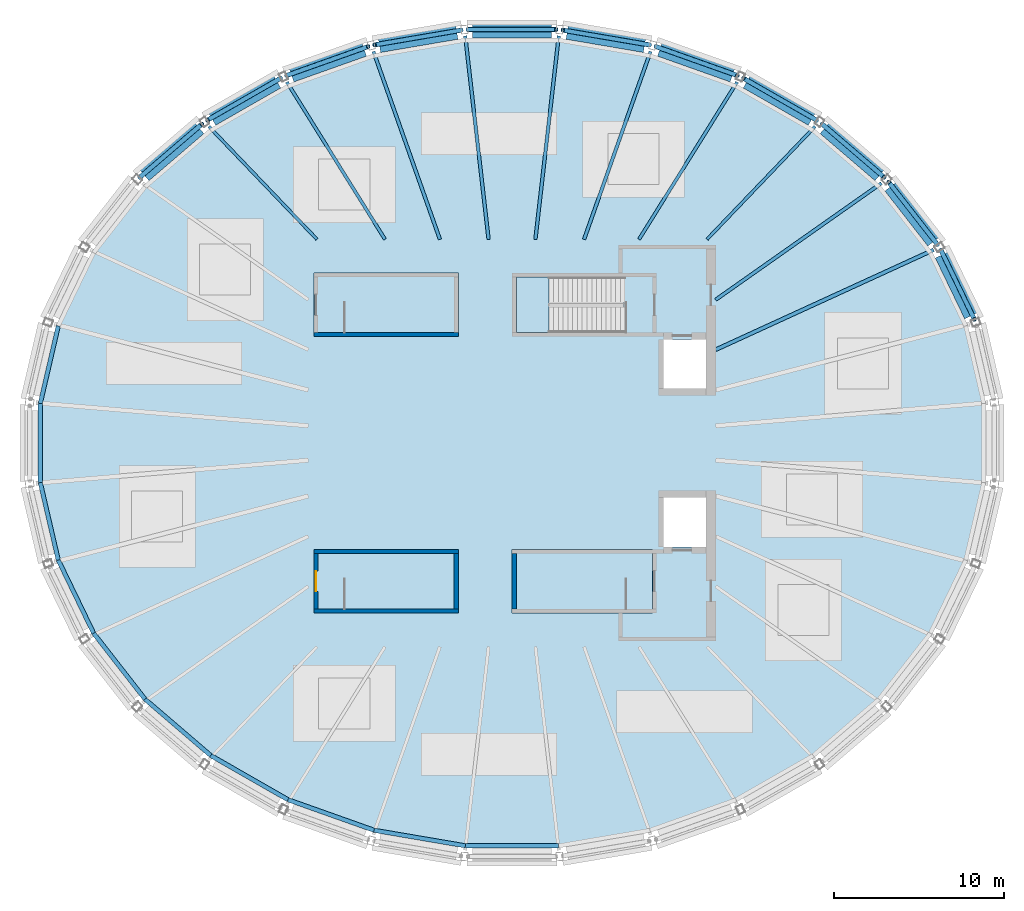
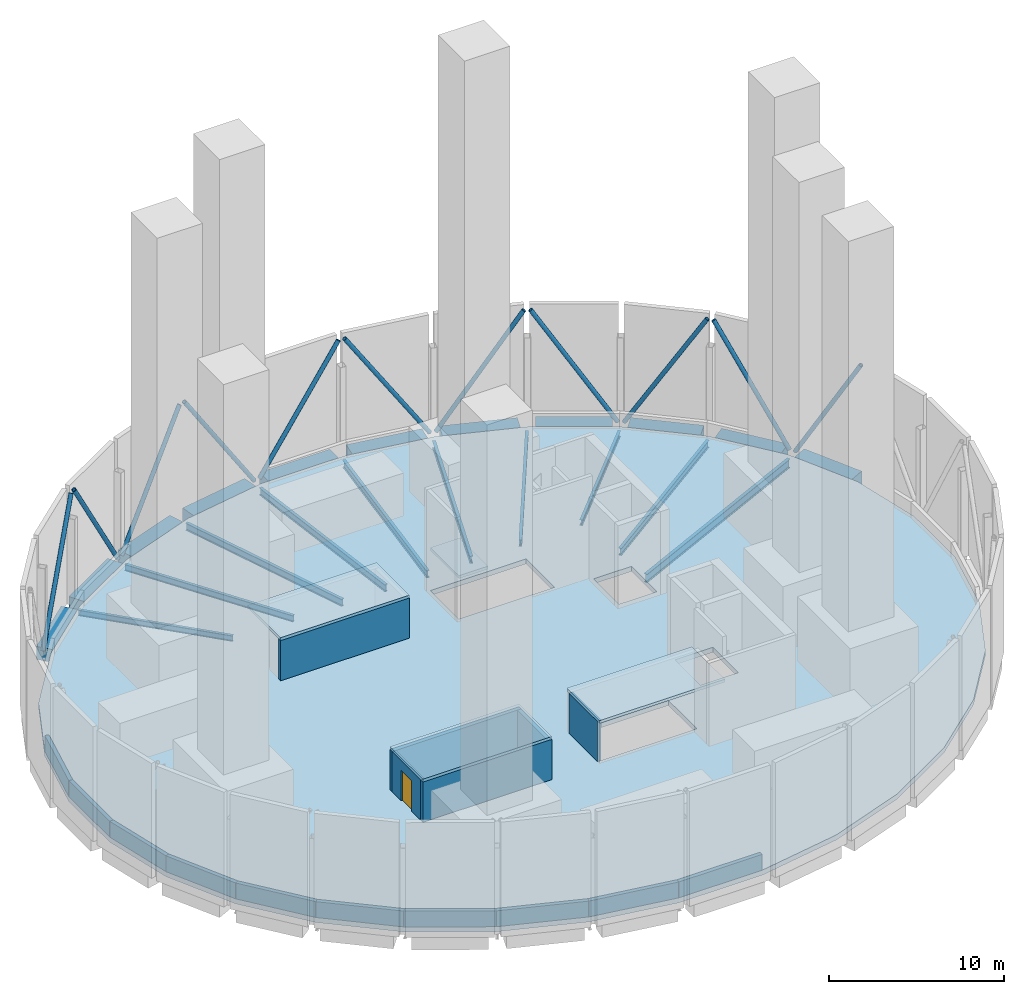
# One storey, part 4 of 7: 21 beams, 16 walls, 11 members, 5 slabs, 1 door, 1 opening, 1 element without a shape of its own.
"""IFC4 building model written with IfcOpenShell, lengths in metres."""

from ifc_helpers import new_model, si_unit, direction, frame, frame_2d, origin, origin_2d, place, context, subcontext, project, spatial, polyline, rectangle, hollow_circle, i_section, outline, extrude, material, layer, layer_set, material_profile, profile_set, type_object, element, fill, aggregate, save


model = new_model("IFC4")

# Units and contexts
model_context = context("Model", 3, precision=1e-05, world=origin(), true_north=direction((0.0, 1.0)))
body_context = subcontext(model_context, "Body", "Model", "MODEL_VIEW")
ifc_project = project(units=[si_unit("LENGTHUNIT", "METRE"), si_unit("AREAUNIT", "SQUARE_METRE"), si_unit("VOLUMEUNIT", "CUBIC_METRE"), si_unit("PLANEANGLEUNIT", "RADIAN"), si_unit("MASSUNIT", "GRAM", prefix="KILO")], contexts=[model_context])

# Site, building, storey
site_placement = place(None, origin())
site = spatial("IfcSite", under=ifc_project, at=site_placement, CompositionType="ELEMENT")
building_placement = place(site_placement, origin())
building = spatial("IfcBuilding", under=site, at=building_placement, Name="Halqa Exchange Tower", CompositionType="ELEMENT")
storey_placement = place(building_placement, frame((0.0, 0.0, 349.300048828125)))
storey = spatial("IfcBuildingStorey", under=building, at=storey_placement, Name="Roof crown", CompositionType="ELEMENT", Elevation=349.300048828125)

# Members
ifc_material_1 = material(Name="Steel S355", Category="steel")
ifc_material_profile_1 = material_profile(ifc_material_1, hollow_circle(Radius=0.136474609375, WallThickness=0.01611328125, at=origin_2d()), Name="CHS 273x16")
ifc_profile_set_1 = profile_set([ifc_material_profile_1], Name="Steel S355")
member_type = type_object("IfcMemberType", Name="CROWN FRAME brace CHS 273x16", PredefinedType="BRACE", material=ifc_profile_set_1)
member_1_placement = place(storey_placement, frame((27.190185546875, 7.26220703125, 7.800048828125), z_axis=(-0.218648714655, 0.452478361108, -0.864555418877), x_axis=(-0.900387276879, -0.435089360516, 0.0)))
element("IfcMember", 1, at=member_1_placement, inside=storey, type_object=member_type, Name="Crown frame brace 1.2", PredefinedType="BRACE", context=body_context, shape_type="SweptSolid", body=[
    extrude(hollow_circle(Radius=0.136474609375, WallThickness=0.01611328125, at=origin_2d()), origin(), (0.0, 0.0, 1.0), 9.02197265625),
])
member_2_placement = place(storey_placement, frame((25.01806640625, 11.665283203125, 0.0), z_axis=(-0.315752772616, 0.405050890244, 0.858040769951), x_axis=(-0.788678776102, -0.614805488041, 0.0)))
element("IfcMember", 2, at=member_2_placement, inside=storey, type_object=member_type, Name="Crown frame brace 1.3", PredefinedType="BRACE", context=body_context, shape_type="SweptSolid", body=[
    extrude(hollow_circle(Radius=0.136474609375, WallThickness=0.01611328125, at=origin_2d()), origin(), (0.0, 0.0, 1.0), 9.090576171875),
])
member_3_placement = place(storey_placement, frame((21.886474609375, 15.62109375, 7.800048828125), z_axis=(-0.399297965651, 0.342274414586, -0.850534749288), x_axis=(-0.650812216448, -0.759238736447, 0.0)))
element("IfcMember", 3, at=member_3_placement, inside=storey, type_object=member_type, Name="Crown frame brace 1.4", PredefinedType="BRACE", context=body_context, shape_type="SweptSolid", body=[
    extrude(hollow_circle(Radius=0.136474609375, WallThickness=0.01611328125, at=origin_2d()), origin(), (0.0, 0.0, 1.0), 9.170654296875),
])
member_4_placement = place(storey_placement, frame((17.915283203125, 18.97802734375, 0.0), z_axis=(-0.466525248598, 0.267189094123, 0.843186919017), x_axis=(-0.496984556947, -0.867759384943, 0.0)))
element("IfcMember", 4, at=member_4_placement, inside=storey, type_object=member_type, Name="Crown frame brace 1.5", PredefinedType="BRACE", context=body_context, shape_type="SweptSolid", body=[
    extrude(hollow_circle(Radius=0.136474609375, WallThickness=0.01611328125, at=origin_2d()), origin(), (0.0, 0.0, 1.0), 9.250732421875),
])
member_5_placement = place(storey_placement, frame((13.255615234375, 21.607666015625, 7.800048828125), z_axis=(-0.515512799121, 0.183016869218, -0.837108941252), x_axis=(-0.334560791797, -0.942374170164, 0.0)))
element("IfcMember", 5, at=member_5_placement, inside=storey, type_object=member_type, Name="Crown frame brace 1.6", PredefinedType="BRACE", context=body_context, shape_type="SweptSolid", body=[
    extrude(hollow_circle(Radius=0.136474609375, WallThickness=0.01611328125, at=origin_2d()), origin(), (0.0, 0.0, 1.0), 9.31787109375),
])
member_6_placement = place(storey_placement, frame((8.085693359375, 23.40869140625, 0.0), z_axis=(-0.545249832877, 0.092961054721, 0.833103152108), x_axis=(-0.168067416098, -0.985775503675, 0.0)))
element("IfcMember", 6, at=member_6_placement, inside=storey, type_object=member_type, Name="Crown frame brace 1.7", PredefinedType="BRACE", context=body_context, shape_type="SweptSolid", body=[
    extrude(hollow_circle(Radius=0.136474609375, WallThickness=0.01611328125, at=origin_2d()), origin(), (0.0, 0.0, 1.0), 9.362548828125),
])
member_7_placement = place(storey_placement, frame((2.603515625, 24.31103515625, 7.800048828125), z_axis=(-0.555216730171, 0.0, -0.831705706688), x_axis=(0.0, -1.0, 0.0)))
element("IfcMember", 7, at=member_7_placement, inside=storey, type_object=member_type, Name="Crown frame brace 1.8", PredefinedType="BRACE", context=body_context, shape_type="SweptSolid", body=[
    extrude(hollow_circle(Radius=0.136474609375, WallThickness=0.01611328125, at=origin_2d()), origin(), (0.0, 0.0, 1.0), 9.37841796875),
])
member_8_placement = place(storey_placement, frame((-2.980712890625, 24.279052734375, 0.0), z_axis=(-0.545249832877, -0.092961054721, 0.833103152108), x_axis=(0.168067416098, -0.985775503675, 0.0)))
element("IfcMember", 8, at=member_8_placement, inside=storey, type_object=member_type, Name="Crown frame brace 1.9", PredefinedType="BRACE", context=body_context, shape_type="SweptSolid", body=[
    extrude(hollow_circle(Radius=0.136474609375, WallThickness=0.01611328125, at=origin_2d()), origin(), (0.0, 0.0, 1.0), 9.362548828125),
])
member_9_placement = place(storey_placement, frame((-8.4521484375, 23.31298828125, 7.800048828125), z_axis=(-0.515512799121, -0.183016869218, -0.837108941252), x_axis=(0.334560791797, -0.942374170164, 0.0)))
element("IfcMember", 9, at=member_9_placement, inside=storey, type_object=member_type, Name="Crown frame brace 1.10", PredefinedType="BRACE", context=body_context, shape_type="SweptSolid", body=[
    extrude(hollow_circle(Radius=0.136474609375, WallThickness=0.01611328125, at=origin_2d()), origin(), (0.0, 0.0, 1.0), 9.31787109375),
])
member_10_placement = place(storey_placement, frame((-13.599609375, 21.44970703125, 0.0), z_axis=(-0.466525248598, -0.267189094123, 0.843186919017), x_axis=(0.496984556947, -0.867759384943, 0.0)))
element("IfcMember", 10, at=member_10_placement, inside=storey, type_object=member_type, Name="Crown frame brace 1.11", PredefinedType="BRACE", context=body_context, shape_type="SweptSolid", body=[
    extrude(hollow_circle(Radius=0.136474609375, WallThickness=0.01611328125, at=origin_2d()), origin(), (0.0, 0.0, 1.0), 9.250732421875),
])
member_11_placement = place(storey_placement, frame((-18.224609375, 18.760009765625, 7.800048828125), z_axis=(-0.399297965651, -0.342274414586, -0.850534749288), x_axis=(0.650812216448, -0.759238736447, 0.0)))
element("IfcMember", 11, at=member_11_placement, inside=storey, type_object=member_type, Name="Crown frame brace 1.12", PredefinedType="BRACE", context=body_context, shape_type="SweptSolid", body=[
    extrude(hollow_circle(Radius=0.136474609375, WallThickness=0.01611328125, at=origin_2d()), origin(), (0.0, 0.0, 1.0), 9.170654296875),
])

# Beams
ifc_material_profile_2 = material_profile(ifc_material_1, i_section(OverallWidth=0.179931640625, OverallDepth=0.39990234375, WebThickness=0.008544921875, FlangeThickness=0.013427734375, FilletRadius=0.02099609375, at=origin_2d()), Name="IPE 400")
ifc_profile_set_2 = profile_set([ifc_material_profile_2], Name="Steel S355")
beam_type_1 = type_object("IfcBeamType", Name="Floor beam IPE 400", PredefinedType="BEAM", material=ifc_profile_set_2)
for number, where, z_axis, x_axis, name in (
    (12, (11.46240234375, 11.9716796875, -0.550048828125), (0.691577100122, 0.722302647501, 0.0), (-0.722302647501, 0.691577100122, 0.0), "Radial beam 5"),
    (13, (-11.46240234375, 11.9716796875, -0.550048828125), (-0.691577100122, 0.722302647501, 0.0), (-0.722302647501, -0.691577100122, 0.0), "Radial beam 12"),
):
    element("IfcBeam", number, at=place(storey_placement, frame(where, z_axis=z_axis, x_axis=x_axis)), inside=storey, type_object=beam_type_1, Name=name, PredefinedType="BEAM", context=body_context, shape_type="SweptSolid", body=[
        extrude(i_section(OverallWidth=0.179931640625, OverallDepth=0.39990234375, WebThickness=0.008544921875, FlangeThickness=0.013427734375, FilletRadius=0.02099609375, at=origin_2d()), origin(), (0.0, 0.0, 1.0), 9.193359375),
    ])
ifc_material_profile_3 = material_profile(ifc_material_1, i_section(OverallWidth=0.18994140625, OverallDepth=0.449951171875, WebThickness=0.009521484375, FlangeThickness=0.0146484375, FilletRadius=0.02099609375, at=origin_2d()), Name="IPE 450")
ifc_profile_set_3 = profile_set([ifc_material_profile_3], Name="Steel S355")
beam_type_2 = type_object("IfcBeamType", Name="Floor beam IPE 450", PredefinedType="BEAM", material=ifc_profile_set_3)
for number, where, z_axis, x_axis, name in (
    (14, (7.46630859375, 11.972900390625, -0.574951171875), (0.529135242535, 0.848537503654, 0.0), (-0.848537503654, 0.529135242535, 0.0), "Radial beam 6"),
    (15, (-7.46630859375, 11.972900390625, -0.574951171875), (-0.529135242535, 0.848537503654, 0.0), (-0.848537503654, -0.529135242535, 0.0), "Radial beam 11"),
):
    element("IfcBeam", number, at=place(storey_placement, frame(where, z_axis=z_axis, x_axis=x_axis)), inside=storey, type_object=beam_type_2, Name=name, PredefinedType="BEAM", context=body_context, shape_type="SweptSolid", body=[
        extrude(i_section(OverallWidth=0.18994140625, OverallDepth=0.449951171875, WebThickness=0.009521484375, FlangeThickness=0.0146484375, FilletRadius=0.02099609375, at=origin_2d()), origin(), (0.0, 0.0, 1.0), 10.90380859375),
    ])
ifc_material_profile_4 = material_profile(ifc_material_1, i_section(OverallWidth=0.199951171875, OverallDepth=0.5, WebThickness=0.01025390625, FlangeThickness=0.01611328125, FilletRadius=0.02099609375, at=origin_2d()), Name="IPE 500")
ifc_profile_set_4 = profile_set([ifc_material_profile_4], Name="Steel S355")
beam_type_3 = type_object("IfcBeamType", Name="Floor beam IPE 500", PredefinedType="BEAM", material=ifc_profile_set_4)
beam_1_placement = place(storey_placement, frame((11.971435546875, 8.421142578125, -0.60009765625), z_axis=(0.817909915289, 0.575346304822, 0.0), x_axis=(-0.575346304822, 0.817909915289, 0.0)))
element("IfcBeam", 16, at=beam_1_placement, inside=storey, type_object=beam_type_3, Name="Radial beam 4", PredefinedType="BEAM", context=body_context, shape_type="SweptSolid", body=[
    extrude(i_section(OverallWidth=0.199951171875, OverallDepth=0.5, WebThickness=0.01025390625, FlangeThickness=0.01611328125, FilletRadius=0.02099609375, at=origin_2d()), origin(), (0.0, 0.0, 1.0), 11.923095703125),
])
beam_2_placement = place(storey_placement, frame((4.237060546875, 11.97216796875, -0.60009765625), z_axis=(0.333610824629, 0.942710887648, 0.0), x_axis=(-0.942710887648, 0.333610824629, 0.0)))
element("IfcBeam", 17, at=beam_2_placement, inside=storey, type_object=beam_type_3, Name="Radial beam 7", PredefinedType="BEAM", context=body_context, shape_type="SweptSolid", body=[
    extrude(i_section(OverallWidth=0.199951171875, OverallDepth=0.5, WebThickness=0.01025390625, FlangeThickness=0.01611328125, FilletRadius=0.02099609375, at=origin_2d()), origin(), (0.0, 0.0, 1.0), 11.7236328125),
])
for number, where, z_axis, x_axis, name in (
    (18, (1.37548828125, 11.97119140625, -0.60009765625), (0.114158031936, 0.993462603093, 0.0), (-0.993462603093, 0.114158031936, 0.0), "Radial beam 8"),
    (19, (-1.37548828125, 11.97119140625, -0.60009765625), (-0.114158031936, 0.993462603093, 0.0), (-0.993462603093, -0.114158031936, 0.0), "Radial beam 9"),
):
    element("IfcBeam", number, at=place(storey_placement, frame(where, z_axis=z_axis, x_axis=x_axis)), inside=storey, type_object=beam_type_3, Name=name, PredefinedType="BEAM", context=body_context, shape_type="SweptSolid", body=[
        extrude(i_section(OverallWidth=0.199951171875, OverallDepth=0.5, WebThickness=0.01025390625, FlangeThickness=0.01611328125, FilletRadius=0.02099609375, at=origin_2d()), origin(), (0.0, 0.0, 1.0), 12.049072265625),
    ])
beam_3_placement = place(storey_placement, frame((-4.237060546875, 11.97216796875, -0.60009765625), z_axis=(-0.333610824629, 0.942710887648, 0.0), x_axis=(-0.942710887648, -0.333610824629, 0.0)))
element("IfcBeam", 20, at=beam_3_placement, inside=storey, type_object=beam_type_3, Name="Radial beam 10", PredefinedType="BEAM", context=body_context, shape_type="SweptSolid", body=[
    extrude(i_section(OverallWidth=0.199951171875, OverallDepth=0.5, WebThickness=0.01025390625, FlangeThickness=0.01611328125, FilletRadius=0.02099609375, at=origin_2d()), origin(), (0.0, 0.0, 1.0), 11.7236328125),
])
ifc_material_profile_5 = material_profile(ifc_material_1, i_section(OverallWidth=0.219970703125, OverallDepth=0.60009765625, WebThickness=0.011962890625, FlangeThickness=0.01904296875, FilletRadius=0.02392578125, at=origin_2d()), Name="IPE 600")
ifc_profile_set_5 = profile_set([ifc_material_profile_5], Name="Steel S355")
beam_type_4 = type_object("IfcBeamType", Name="Floor beam IPE 600", PredefinedType="BEAM", material=ifc_profile_set_5)
beam_4_placement = place(storey_placement, frame((11.97216796875, 5.485107421875, -0.650146484375), z_axis=(0.909129837919, 0.416512830302, 0.0), x_axis=(-0.416512830302, 0.909129837919, 0.0)))
element("IfcBeam", 21, at=beam_4_placement, inside=storey, type_object=beam_type_4, Name="Radial beam 3", PredefinedType="BEAM", context=body_context, shape_type="SweptSolid", body=[
    extrude(i_section(OverallWidth=0.219970703125, OverallDepth=0.60009765625, WebThickness=0.011962890625, FlangeThickness=0.01904296875, FilletRadius=0.02392578125, at=origin_2d()), origin(), (0.0, 0.0, 1.0), 14.102294921875),
])
ifc_material_2 = material(Name="Concrete C60/75", Category="concrete")
ifc_material_profile_6 = material_profile(ifc_material_2, rectangle(XDim=1.0, YDim=0.89990234375, at=origin_2d()), Name="1000 x 900")
ifc_profile_set_6 = profile_set([ifc_material_profile_6], Name="Concrete C60/75")
beam_type_5 = type_object("IfcBeamType", Name="RC spandrel beam 1000 x 900 C60/75", PredefinedType="SPANDREL", material=ifc_profile_set_6)
beam_5_placement = place(storey_placement, frame((27.06591796875, 7.519287109375, -0.449951171875), z_axis=(-0.43505216676, 0.900405248873, 0.0), x_axis=(-0.900405248873, -0.43505216676, 0.0)))
element("IfcBeam", 22, at=beam_5_placement, inside=storey, type_object=beam_type_5, Name="Spandrel 2", PredefinedType="SPANDREL", context=body_context, shape_type="SweptSolid", body=[
    extrude(rectangle(XDim=1.0, YDim=0.89990234375, at=origin_2d()), origin(), (0.0, 0.0, 1.0), 3.964111328125),
])
beam_6_placement = place(storey_placement, frame((24.8427734375, 11.89013671875, -0.449951171875), z_axis=(-0.61480594236, 0.788678421943, 0.0), x_axis=(-0.788678421943, -0.61480594236, 0.0)))
element("IfcBeam", 23, at=beam_6_placement, inside=storey, type_object=beam_type_5, Name="Spandrel 3", PredefinedType="SPANDREL", context=body_context, shape_type="SweptSolid", body=[
    extrude(rectangle(XDim=1.0, YDim=0.89990234375, at=origin_2d()), origin(), (0.0, 0.0, 1.0), 4.10009765625),
])
beam_7_placement = place(storey_placement, frame((21.670654296875, 15.805908203125, -0.449951171875), z_axis=(-0.759232294843, 0.65081973116, 0.0), x_axis=(-0.65081973116, -0.759232294843, 0.0)))
element("IfcBeam", 24, at=beam_7_placement, inside=storey, type_object=beam_type_5, Name="Spandrel 4", PredefinedType="SPANDREL", context=body_context, shape_type="SweptSolid", body=[
    extrude(rectangle(XDim=1.0, YDim=0.89990234375, at=origin_2d()), origin(), (0.0, 0.0, 1.0), 4.25390625),
])
beam_8_placement = place(storey_placement, frame((17.669189453125, 19.119140625, -0.449951171875), z_axis=(-0.86778573249, 0.49693855001, 0.0), x_axis=(-0.49693855001, -0.86778573249, 0.0)))
element("IfcBeam", 25, at=beam_8_placement, inside=storey, type_object=beam_type_5, Name="Spandrel 5", PredefinedType="SPANDREL", context=body_context, shape_type="SweptSolid", body=[
    extrude(rectangle(XDim=1.0, YDim=0.89990234375, at=origin_2d()), origin(), (0.0, 0.0, 1.0), 4.40478515625),
])
beam_9_placement = place(storey_placement, frame((12.98828125, 21.70263671875, -0.449951171875), z_axis=(-0.94236088808, 0.334598201755, 0.0), x_axis=(-0.334598201755, -0.94236088808, 0.0)))
element("IfcBeam", 26, at=beam_9_placement, inside=storey, type_object=beam_type_5, Name="Spandrel 6", PredefinedType="SPANDREL", context=body_context, shape_type="SweptSolid", body=[
    extrude(rectangle(XDim=1.0, YDim=0.89990234375, at=origin_2d()), origin(), (0.0, 0.0, 1.0), 4.530517578125),
])
beam_10_placement = place(storey_placement, frame((7.805419921875, 23.456298828125, -0.449951171875), z_axis=(-0.985773042695, 0.168081849987, 0.0), x_axis=(-0.168081849987, -0.985773042695, 0.0)))
element("IfcBeam", 27, at=beam_10_placement, inside=storey, type_object=beam_type_5, Name="Spandrel 7", PredefinedType="SPANDREL", context=body_context, shape_type="SweptSolid", body=[
    extrude(rectangle(XDim=1.0, YDim=0.89990234375, at=origin_2d()), origin(), (0.0, 0.0, 1.0), 4.6103515625),
])
beam_11_placement = place(storey_placement, frame((2.319580078125, 24.31103515625, -0.449951171875), z_axis=(-1.0, 0.0, 0.0), x_axis=(0.0, -1.0, 0.0)))
element("IfcBeam", 28, at=beam_11_placement, inside=storey, type_object=beam_type_5, Name="Spandrel 8", PredefinedType="SPANDREL", context=body_context, shape_type="SweptSolid", body=[
    extrude(rectangle(XDim=1.0, YDim=0.89990234375, at=origin_2d()), origin(), (0.0, 0.0, 1.0), 4.63916015625),
])
beam_12_placement = place(storey_placement, frame((-3.2607421875, 24.231201171875, -0.449951171875), z_axis=(-0.985773042695, -0.168081849987, 0.0), x_axis=(0.168081849987, -0.985773042695, 0.0)))
element("IfcBeam", 29, at=beam_12_placement, inside=storey, type_object=beam_type_5, Name="Spandrel 9", PredefinedType="SPANDREL", context=body_context, shape_type="SweptSolid", body=[
    extrude(rectangle(XDim=1.0, YDim=0.89990234375, at=origin_2d()), origin(), (0.0, 0.0, 1.0), 4.6103515625),
])
beam_13_placement = place(storey_placement, frame((-8.718994140625, 23.218505859375, -0.449951171875), z_axis=(-0.94236088808, -0.334598201755, 0.0), x_axis=(0.334598201755, -0.94236088808, 0.0)))
element("IfcBeam", 30, at=beam_13_placement, inside=storey, type_object=beam_type_5, Name="Spandrel 10", PredefinedType="SPANDREL", context=body_context, shape_type="SweptSolid", body=[
    extrude(rectangle(XDim=1.0, YDim=0.89990234375, at=origin_2d()), origin(), (0.0, 0.0, 1.0), 4.530517578125),
])
beam_14_placement = place(storey_placement, frame((-13.8466796875, 21.30810546875, -0.449951171875), z_axis=(-0.86778573249, -0.49693855001, 0.0), x_axis=(0.49693855001, -0.86778573249, 0.0)))
element("IfcBeam", 31, at=beam_14_placement, inside=storey, type_object=beam_type_5, Name="Spandrel 11", PredefinedType="SPANDREL", context=body_context, shape_type="SweptSolid", body=[
    extrude(rectangle(XDim=1.0, YDim=0.89990234375, at=origin_2d()), origin(), (0.0, 0.0, 1.0), 4.40478515625),
])
beam_15_placement = place(storey_placement, frame((-18.44091796875, 18.574462890625, -0.449951171875), z_axis=(-0.759232294843, -0.65081973116, 0.0), x_axis=(0.65081973116, -0.759232294843, 0.0)))
element("IfcBeam", 32, at=beam_15_placement, inside=storey, type_object=beam_type_5, Name="Spandrel 12", PredefinedType="SPANDREL", context=body_context, shape_type="SweptSolid", body=[
    extrude(rectangle(XDim=1.0, YDim=0.89990234375, at=origin_2d()), origin(), (0.0, 0.0, 1.0), 4.25390625),
])

# Slabs
ifc_material_3 = material(Name="Concrete C30/37", Category="concrete")
ifc_layer_1 = layer(ifc_material_3, 0.199951171875)
ifc_layer_set_1 = layer_set([ifc_layer_1], Name="Concrete C30/37")
slab_type_1 = type_object("IfcSlabType", Name="Head-house roof slab 200", PredefinedType="ROOF", material=ifc_layer_set_1)
slab_1_placement = place(storey_placement, frame((0.0, 0.0, 2.800048828125)))
element("IfcSlab", 33, at=slab_1_placement, inside=storey, type_object=slab_type_1, Name="Head-house roof ST1", PredefinedType="ROOF", context=body_context, shape_type="SweptSolid", body=[
    extrude(outline(polyline([(-11.64990234375, 6.25), (-3.14990234375, 6.25), (-3.14990234375, 10.0), (-11.64990234375, 10.0), (-11.64990234375, 6.25)])), origin(), (0.0, 0.0, 1.0), 0.199951171875),
])
slab_2_placement = place(storey_placement, frame((0.0, 0.0, 2.800048828125)))
element("IfcSlab", 34, at=slab_2_placement, inside=storey, type_object=slab_type_1, Name="Head-house roof ST3", PredefinedType="ROOF", context=body_context, shape_type="SweptSolid", body=[
    extrude(outline(polyline([(-11.64990234375, -10.0), (-3.14990234375, -10.0), (-3.14990234375, -6.25), (-11.64990234375, -6.25), (-11.64990234375, -10.0)])), origin(), (0.0, 0.0, 1.0), 0.199951171875),
])
slab_3_placement = place(storey_placement, frame((0.0, 0.0, 2.800048828125)))
element("IfcSlab", 35, at=slab_3_placement, inside=storey, type_object=slab_type_1, Name="Head-house roof ST4", PredefinedType="ROOF", context=body_context, shape_type="SweptSolid", body=[
    extrude(outline(polyline([(0.0, -10.0), (8.25, -10.0), (8.25, -6.25), (0.0, -6.25), (0.0, -10.0)])), origin(), (0.0, 0.0, 1.0), 0.199951171875),
])
ifc_material_4 = material(Name="Concrete C40/50", Category="concrete")
ifc_layer_2 = layer(ifc_material_4, 0.35009765625)
ifc_layer_set_2 = layer_set([ifc_layer_2], Name="Concrete C40/50")
slab_type_2 = type_object("IfcSlabType", Name="RC roof slab 350", PredefinedType="ROOF", material=ifc_layer_set_2)
slab_4_placement = place(storey_placement, frame((0.0, 0.0, -0.35009765625)))
element("IfcSlab", 36, at=slab_4_placement, inside=storey, type_object=slab_type_2, Name="Roof deck", PredefinedType="ROOF", context=body_context, shape_type="SweptSolid", body=[
    extrude(outline(polyline([(27.86279296875, 2.337158203125), (27.86279296875, -2.337158203125), (26.79833984375, -6.923828125), (24.707763671875, -11.250244140625), (21.667236328125, -15.150390625), (17.790771484375, -18.47314453125), (13.22509765625, -21.087890625), (8.146484375, -22.89111328125), (2.751220703125, -23.81103515625), (-2.751220703125, -23.81103515625), (-8.146484375, -22.89111328125), (-13.22509765625, -21.087890625), (-17.790771484375, -18.47314453125), (-21.667236328125, -15.150390625), (-24.707763671875, -11.250244140625), (-26.79833984375, -6.923828125), (-27.86279296875, -2.337158203125), (-27.86279296875, 2.337158203125), (-26.79833984375, 6.923828125), (-24.707763671875, 11.250244140625), (-21.667236328125, 15.150390625), (-17.790771484375, 18.47314453125), (-13.22509765625, 21.087890625), (-8.146484375, 22.89111328125), (-2.751220703125, 23.81103515625), (2.751220703125, 23.81103515625), (8.146484375, 22.89111328125), (13.22509765625, 21.087890625), (17.790771484375, 18.47314453125), (21.667236328125, 15.150390625), (24.707763671875, 11.250244140625), (26.79833984375, 6.923828125), (27.86279296875, 2.337158203125)]), holes=[polyline([(8.89990234375, 3.199951171875), (11.39990234375, 3.199951171875), (11.39990234375, 6.10009765625), (8.89990234375, 6.10009765625), (8.89990234375, 3.199951171875)]), polyline([(8.89990234375, -6.10009765625), (11.39990234375, -6.10009765625), (11.39990234375, -3.199951171875), (8.89990234375, -3.199951171875), (8.89990234375, -6.10009765625)]), polyline([(-9.699951171875, 6.5), (-3.39990234375, 6.5), (-3.39990234375, 9.75), (-9.699951171875, 9.75), (-9.699951171875, 6.5)]), polyline([(0.25, 6.5), (6.550048828125, 6.5), (6.550048828125, 9.75), (0.25, 9.75), (0.25, 6.5)]), polyline([(-9.699951171875, -9.75), (-3.39990234375, -9.75), (-3.39990234375, -6.5), (-9.699951171875, -6.5), (-9.699951171875, -9.75)]), polyline([(0.25, -9.75), (6.550048828125, -9.75), (6.550048828125, -6.5), (0.25, -6.5), (0.25, -9.75)])]), origin(), (0.0, 0.0, 1.0), 0.35009765625),
])

# Stair, slab
stair_type = type_object("IfcStairType", Name="Exit stair 1500 wide", PredefinedType="HALF_TURN_STAIR", material=ifc_material_3)
stair_placement = place(storey_placement, origin())
stair = element("IfcStair", 37, at=stair_placement, inside=storey, type_object=stair_type, Name="Exit stair ST2", PredefinedType="HALF_TURN_STAIR")
ifc_layer_3 = layer(ifc_material_3, 0.199951171875)
ifc_layer_set_3 = layer_set([ifc_layer_3], Name="Concrete C30/37")
slab_type_3 = type_object("IfcSlabType", Name="Stair landing 200 slab", PredefinedType="LANDING", material=ifc_layer_set_3)
slab_5_placement = place(storey_placement, frame((0.0, 0.0, 2.800048828125)))
slab_5 = element("IfcSlab", 38, at=slab_5_placement, type_object=slab_type_3, Name="ST2 landing 1", PredefinedType="LANDING", context=body_context, shape_type="SweptSolid", body=[
    extrude(outline(polyline([(0.25, 6.5), (2.169921875, 6.5), (2.169921875, 9.75), (0.25, 9.75), (0.25, 6.5)])), origin(), (0.0, 0.0, 1.0), 0.199951171875),
])
aggregate(stair, [slab_5])

# Walls
ifc_layer_4 = layer(ifc_material_2, 0.25)
ifc_layer_set_4 = layer_set([ifc_layer_4], Name="Concrete C60/75")
wall_type_1 = type_object("IfcWallType", Name="RC penthouse wall 250 C60/75", PredefinedType="SHEAR", material=ifc_layer_set_4)
for number, where, z_axis, x_axis, name in (
    (39, (-11.64990234375, 6.375, 0.0), (0.0, 0.0, 1.0), (1.0, 0.0, 0.0), "Head-house ST1 wall south"),
    (40, (-11.64990234375, -6.375, 0.0), (0.0, 0.0, 1.0), (1.0, 0.0, 0.0), "Head-house ST3 wall north"),
    (41, (-11.64990234375, -9.875, 0.0), (0.0, 0.0, 1.0), (1.0, 0.0, 0.0), "Head-house ST3 wall south"),
):
    element("IfcWall", number, at=place(storey_placement, frame(where, z_axis=z_axis, x_axis=x_axis)), inside=storey, type_object=wall_type_1, Name=name, PredefinedType="SHEAR", context=body_context, shape_type="SweptSolid", body=[
        extrude(rectangle(XDim=8.5, YDim=0.25, at=frame_2d((4.25, 0.0))), origin(), (0.0, 0.0, 1.0), 2.800048828125),
    ])

# Wall, opening, door
wall_1_placement = place(storey_placement, frame((-11.52490234375, -9.75, 0.0), z_axis=(0.0, 0.0, 1.0), x_axis=(0.0, 1.0, 0.0)))
wall_1 = element("IfcWall", 42, at=wall_1_placement, inside=storey, type_object=wall_type_1, Name="Head-house ST3 wall west", PredefinedType="SHEAR", context=body_context, shape_type="SweptSolid", body=[
    extrude(rectangle(XDim=3.25, YDim=0.25, at=frame_2d((1.625, 0.0))), origin(), (0.0, 0.0, 1.0), 2.800048828125),
])
opening_placement = place(wall_1_placement, frame((1.02490234375, 0.0, 0.0)))
opening = element("IfcOpeningElement", 43, at=opening_placement, cuts=wall_1, Name="Opening RF-C05", PredefinedType="OPENING", context=body_context, shape_type="SweptSolid", body=[
    extrude(rectangle(XDim=1.199951171875, YDim=2.10009765625, at=frame_2d((0.60009765625, 1.050048828125))), frame((0.0, 0.136962890625, 0.0), z_axis=(0.0, -1.0, 0.0), x_axis=(1.0, 0.0, 0.0)), (0.0, 0.0, 1.0), 0.27392578125),
])
ifc_material_5 = material(Name="Steel fire door leaf", Category="steel")
door_type = type_object("IfcDoorType", Name="Stair door FD90 1200 x 2100", OperationType="SINGLE_SWING_LEFT", PredefinedType="DOOR", material=ifc_material_5)
door_placement = place(opening_placement, frame((1.199951171875, 0.0, 0.0), z_axis=(0.0, 0.0, 1.0), x_axis=(-1.0, 0.0, 0.0)))
door = element("IfcDoor", 44, at=door_placement, inside=storey, type_object=door_type, Name="Stair door HH", OperationType="SINGLE_SWING_LEFT", OverallHeight=2.10009765625, OverallWidth=1.199951171875, PredefinedType="DOOR", context=body_context, shape_type="SweptSolid", body=[
    extrude(rectangle(XDim=1.199951171875, YDim=2.10009765625, at=frame_2d((0.60009765625, 1.050048828125))), frame((0.0, 0.02490234375, 0.0), z_axis=(0.0, -1.0, 0.0), x_axis=(1.0, 0.0, 0.0)), (0.0, 0.0, 1.0), 0.050048828125),
])
fill(opening, door)

# Walls
for number, where, z_axis, x_axis, name in (
    (45, (-3.27490234375, -9.75, 0.0), (0.0, 0.0, 1.0), (0.0, 1.0, 0.0), "Head-house ST3 wall east"),
    (46, (0.125, -9.75, 0.0), (0.0, 0.0, 1.0), (0.0, 1.0, 0.0), "Head-house ST4 wall west"),
):
    element("IfcWall", number, at=place(storey_placement, frame(where, z_axis=z_axis, x_axis=x_axis)), inside=storey, type_object=wall_type_1, Name=name, PredefinedType="SHEAR", context=body_context, shape_type="SweptSolid", body=[
        extrude(rectangle(XDim=3.25, YDim=0.25, at=frame_2d((1.625, 0.0))), origin(), (0.0, 0.0, 1.0), 2.800048828125),
    ])
ifc_material_6 = material(Name="Limestone cladding", Category="masonry")
ifc_layer_5 = layer(ifc_material_6, 0.0400390625)
ifc_material_7 = material(Name="Concrete C40/50 precast", Category="concrete")
ifc_layer_6 = layer(ifc_material_7, 0.179931640625)
ifc_material_8 = material(Name="Mineral wool lining board")
ifc_layer_7 = layer(ifc_material_8, 0.030029296875)
ifc_layer_set_5 = layer_set([ifc_layer_5, ifc_layer_6, ifc_layer_7], Name="Roof parapet 250")
wall_type_2 = type_object("IfcWallType", Name="Roof parapet 250", PredefinedType="PARAPET", material=ifc_layer_set_5)
wall_2_placement = place(storey_placement, frame((-26.6796875, 6.882080078125, 0.0), z_axis=(0.0, 0.0, 1.0), x_axis=(-0.226066955378, -0.9741117655, 0.0)))
element("IfcWall", 47, at=wall_2_placement, inside=storey, type_object=wall_type_2, Name="Roof parapet 15", PredefinedType="PARAPET", context=body_context, shape_type="SweptSolid", body=[
    extrude(rectangle(XDim=4.680419921875, YDim=0.25, at=frame_2d((2.34033203125, 0.0))), origin(), (0.0, 0.0, 1.0), 1.099853515625),
])
wall_3_placement = place(storey_placement, frame((-27.73779296875, 2.32275390625, 0.0), z_axis=(0.0, 0.0, 1.0), x_axis=(0.0, -1.0, 0.0)))
element("IfcWall", 48, at=wall_3_placement, inside=storey, type_object=wall_type_2, Name="Roof parapet 16", PredefinedType="PARAPET", context=body_context, shape_type="SweptSolid", body=[
    extrude(rectangle(XDim=4.6455078125, YDim=0.25, at=frame_2d((2.32275390625, 0.0))), origin(), (0.0, 0.0, 1.0), 1.099853515625),
])
wall_4_placement = place(storey_placement, frame((-27.73779296875, -2.32275390625, 0.0), z_axis=(0.0, 0.0, 1.0), x_axis=(0.226066955378, -0.9741117655, 0.0)))
element("IfcWall", 49, at=wall_4_placement, inside=storey, type_object=wall_type_2, Name="Roof parapet 17", PredefinedType="PARAPET", context=body_context, shape_type="SweptSolid", body=[
    extrude(rectangle(XDim=4.680419921875, YDim=0.25, at=frame_2d((2.34033203125, 0.0))), origin(), (0.0, 0.0, 1.0), 1.099853515625),
])
wall_5_placement = place(storey_placement, frame((-26.6796875, -6.882080078125, 0.0), z_axis=(0.0, 0.0, 1.0), x_axis=(0.435072002659, -0.900395664418, 0.0)))
element("IfcWall", 50, at=wall_5_placement, inside=storey, type_object=wall_type_2, Name="Roof parapet 18", PredefinedType="PARAPET", context=body_context, shape_type="SweptSolid", body=[
    extrude(rectangle(XDim=4.777587890625, YDim=0.25, at=frame_2d((2.388671875, 0.0))), origin(), (0.0, 0.0, 1.0), 1.099853515625),
])
wall_6_placement = place(storey_placement, frame((-24.60107421875, -11.183837890625, 0.0), z_axis=(0.0, 0.0, 1.0), x_axis=(0.614823200076, -0.788664968569, 0.0)))
element("IfcWall", 51, at=wall_6_placement, inside=storey, type_object=wall_type_2, Name="Roof parapet 19", PredefinedType="PARAPET", context=body_context, shape_type="SweptSolid", body=[
    extrude(rectangle(XDim=4.919677734375, YDim=0.25, at=frame_2d((2.4599609375, 0.0))), origin(), (0.0, 0.0, 1.0), 1.099853515625),
])
wall_7_placement = place(storey_placement, frame((-21.576416015625, -15.063720703125, 0.0), z_axis=(0.0, 0.0, 1.0), x_axis=(0.759266776664, -0.650779503253, 0.0)))
element("IfcWall", 52, at=wall_7_placement, inside=storey, type_object=wall_type_2, Name="Roof parapet 20", PredefinedType="PARAPET", context=body_context, shape_type="SweptSolid", body=[
    extrude(rectangle(XDim=5.08154296875, YDim=0.25, at=frame_2d((2.540771484375, 0.0))), origin(), (0.0, 0.0, 1.0), 1.099853515625),
])
wall_8_placement = place(storey_placement, frame((-17.71826171875, -18.37060546875, 0.0), z_axis=(0.0, 0.0, 1.0), x_axis=(0.867757998812, -0.496986977191, 0.0)))
element("IfcWall", 53, at=wall_8_placement, inside=storey, type_object=wall_type_2, Name="Roof parapet 21", PredefinedType="PARAPET", context=body_context, shape_type="SweptSolid", body=[
    extrude(rectangle(XDim=5.238037109375, YDim=0.25, at=frame_2d((2.619140625, 0.0))), origin(), (0.0, 0.0, 1.0), 1.099853515625),
])
wall_9_placement = place(storey_placement, frame((-13.1728515625, -20.973876953125, 0.0), z_axis=(0.0, 0.0, 1.0), x_axis=(0.942363914416, -0.334589678272, 0.0)))
element("IfcWall", 54, at=wall_9_placement, inside=storey, type_object=wall_type_2, Name="Roof parapet 22", PredefinedType="PARAPET", context=body_context, shape_type="SweptSolid", body=[
    extrude(rectangle(XDim=5.367431640625, YDim=0.25, at=frame_2d((2.68359375, 0.0))), origin(), (0.0, 0.0, 1.0), 1.099853515625),
])
wall_10_placement = place(storey_placement, frame((-8.11474609375, -22.769775390625, 0.0), z_axis=(0.0, 0.0, 1.0), x_axis=(0.985775899295, -0.168065095628, 0.0)))
element("IfcWall", 55, at=wall_10_placement, inside=storey, type_object=wall_type_2, Name="Roof parapet 23", PredefinedType="PARAPET", context=body_context, shape_type="SweptSolid", body=[
    extrude(rectangle(XDim=5.451904296875, YDim=0.25, at=frame_2d((2.72607421875, 0.0))), origin(), (0.0, 0.0, 1.0), 1.099853515625),
])
wall_11_placement = place(storey_placement, frame((-2.740478515625, -23.68603515625, 0.0), z_axis=(0.0, 0.0, 1.0), x_axis=(1.0, 0.0, 0.0)))
element("IfcWall", 56, at=wall_11_placement, inside=storey, type_object=wall_type_2, Name="Roof parapet 24", PredefinedType="PARAPET", context=body_context, shape_type="SweptSolid", body=[
    extrude(rectangle(XDim=5.48095703125, YDim=0.25, at=frame_2d((2.740478515625, 0.0))), origin(), (0.0, 0.0, 1.0), 1.099853515625),
])

save(model, "model.ifc")
